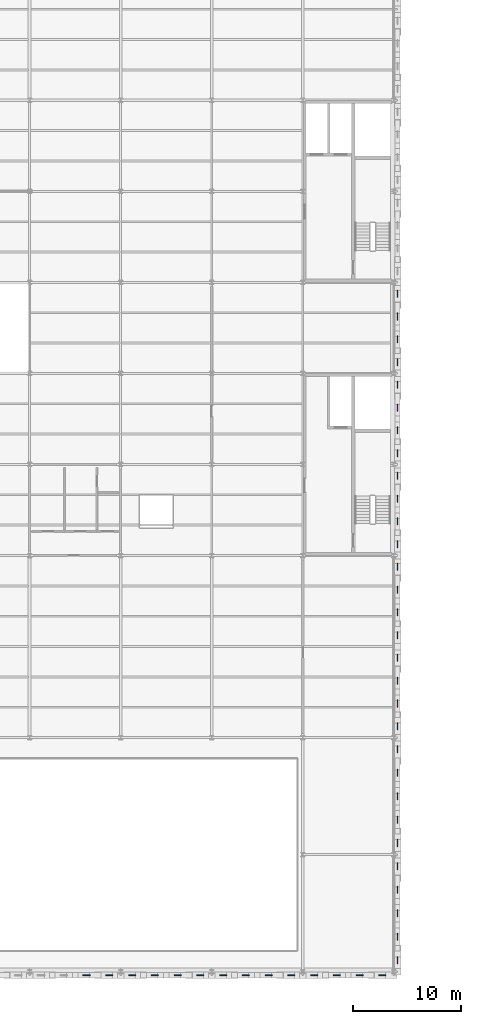
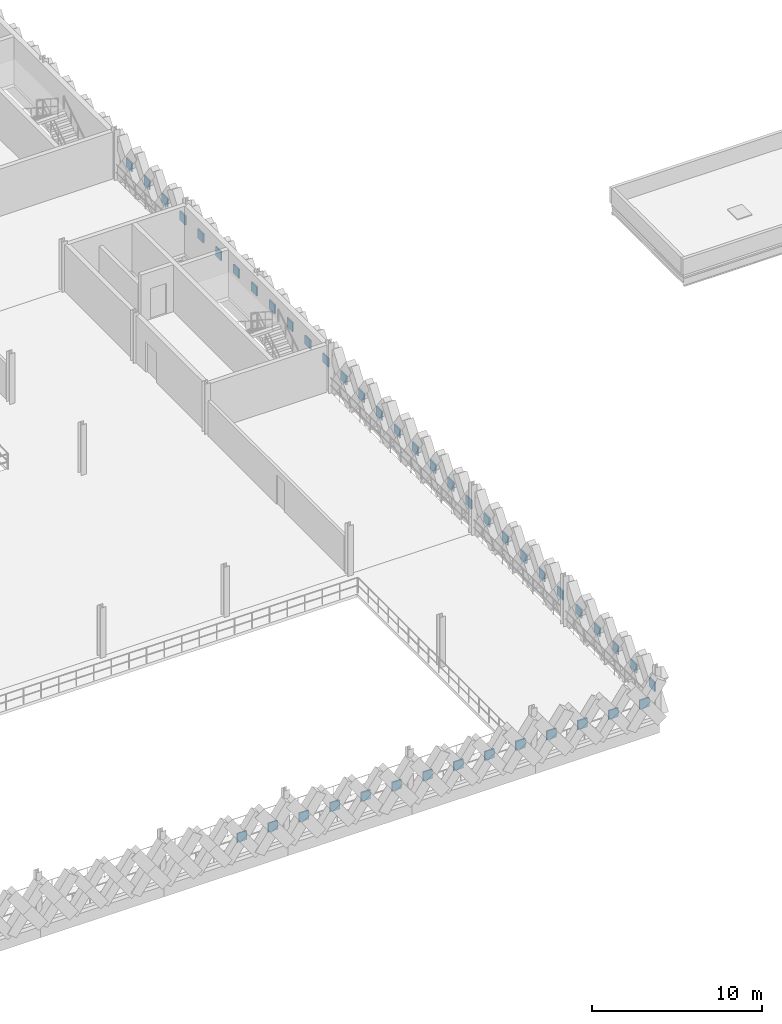
# One storey, part 43 of 62: 44 plates.
"""IFC4 building model written with IfcOpenShell, lengths in metres."""

from ifc_helpers import new_model, si_unit, direction, frame, origin, origin_2d, place, context, subcontext, project, spatial, rectangle, extrude, material, layer, layer_set, type_object, element, save


model = new_model("IFC4")

# Units and contexts
model_context = context("Model", 3, precision=1e-05, world=origin(), true_north=direction((0.0, 1.0)))
body_context = subcontext(model_context, "Body", "Model", "MODEL_VIEW")
ifc_project = project(units=[si_unit("LENGTHUNIT", "METRE"), si_unit("AREAUNIT", "SQUARE_METRE"), si_unit("VOLUMEUNIT", "CUBIC_METRE"), si_unit("PLANEANGLEUNIT", "RADIAN"), si_unit("MASSUNIT", "GRAM", prefix="KILO"), si_unit("THERMODYNAMICTEMPERATUREUNIT", "KELVIN"), si_unit("POWERUNIT", "WATT")], contexts=[model_context])

# Site, building, storey
site_placement = place(None, origin())
site = spatial("IfcSite", under=ifc_project, at=site_placement, CompositionType="ELEMENT")
building_placement = place(site_placement, origin())
building = spatial("IfcBuilding", under=site, at=building_placement, Name="Tembeka Court Mobility Hub", CompositionType="ELEMENT")
storey_placement = place(building_placement, frame((0.0, 0.0, 16.199951171875)))
storey = spatial("IfcBuildingStorey", under=building, at=storey_placement, Name="L04", CompositionType="ELEMENT", Elevation=16.199951171875)

# Plates
ifc_material = material(Name="Precast concrete C45/55", Category="concrete")
ifc_layer = layer(ifc_material, 0.090087890625)
ifc_layer_set = layer_set([ifc_layer], Name="Precast concrete C45/55")
plate_type = type_object("IfcPlateType", Name="PL-PC01", PredefinedType="SHEET", material=ifc_layer_set)
for number, where, z_axis, x_axis, name in (
    (1, (64.050048828125, -0.340087890625, 1.16015625), (0.0, 0.0, 1.0), (1.0, 0.0, 0.0), "Precast diamond lattice node plate PCN01 (L04-619)"),
    (2, (66.14990234375, -0.340087890625, 1.16015625), (0.0, 0.0, 1.0), (1.0, 0.0, 0.0), "Precast diamond lattice node plate PCN01 (L04-620)"),
    (3, (68.25, -0.340087890625, 1.16015625), (0.0, 0.0, 1.0), (1.0, 0.0, 0.0), "Precast diamond lattice node plate PCN01 (L04-621)"),
    (4, (70.35009765625, -0.340087890625, 1.16015625), (0.0, 0.0, 1.0), (1.0, 0.0, 0.0), "Precast diamond lattice node plate PCN01 (L04-622)"),
    (5, (72.449951171875, -0.340087890625, 1.16015625), (0.0, 0.0, 1.0), (1.0, 0.0, 0.0), "Precast diamond lattice node plate PCN01 (L04-623)"),
    (6, (74.550048828125, -0.340087890625, 1.16015625), (0.0, 0.0, 1.0), (1.0, 0.0, 0.0), "Precast diamond lattice node plate PCN01 (L04-624)"),
    (7, (76.64990234375, -0.340087890625, 1.16015625), (0.0, 0.0, 1.0), (1.0, 0.0, 0.0), "Precast diamond lattice node plate PCN01 (L04-625)"),
    (8, (78.75, -0.340087890625, 1.16015625), (0.0, 0.0, 1.0), (1.0, 0.0, 0.0), "Precast diamond lattice node plate PCN01 (L04-626)"),
    (9, (80.85009765625, -0.340087890625, 1.16015625), (0.0, 0.0, 1.0), (1.0, 0.0, 0.0), "Precast diamond lattice node plate PCN01 (L04-627)"),
    (10, (82.949951171875, -0.340087890625, 1.16015625), (0.0, 0.0, 1.0), (1.0, 0.0, 0.0), "Precast diamond lattice node plate PCN01 (L04-628)"),
    (11, (85.050048828125, -0.340087890625, 1.16015625), (0.0, 0.0, 1.0), (1.0, 0.0, 0.0), "Precast diamond lattice node plate PCN01 (L04-629)"),
    (12, (87.14990234375, -0.340087890625, 1.16015625), (0.0, 0.0, 1.0), (1.0, 0.0, 0.0), "Precast diamond lattice node plate PCN01 (L04-630)"),
    (13, (89.25, -0.340087890625, 1.16015625), (0.0, 0.0, 1.0), (1.0, 0.0, 0.0), "Precast diamond lattice node plate PCN01 (L04-631)"),
    (14, (91.35009765625, -0.340087890625, 1.16015625), (0.0, 0.0, 1.0), (1.0, 0.0, 0.0), "Precast diamond lattice node plate PCN01 (L04-632)"),
):
    element("IfcPlate", number, at=place(storey_placement, frame(where, z_axis=z_axis, x_axis=x_axis)), inside=storey, type_object=plate_type, Name=name, PredefinedType="SHEET", context=body_context, shape_type="SweptSolid", body=[
        extrude(rectangle(XDim=0.64990234375, YDim=0.090087890625, at=origin_2d()), origin(), (0.0, 0.0, 1.0), 0.64990234375),
    ])
for number, where, z_axis, x_axis, name in (
    (15, (92.739990234375, 1.080078125, 1.16015625), (0.0, 0.0, 1.0), (1.0, 0.0, 0.0), "Precast diamond lattice node plate PCN01 (L04-733)"),
    (16, (92.739990234375, 3.239990234375, 1.16015625), (0.0, 0.0, 1.0), (1.0, 0.0, 0.0), "Precast diamond lattice node plate PCN01 (L04-734)"),
    (17, (92.739990234375, 5.39990234375, 1.16015625), (0.0, 0.0, 1.0), (1.0, 0.0, 0.0), "Precast diamond lattice node plate PCN01 (L04-735)"),
    (18, (92.739990234375, 7.56005859375, 1.16015625), (0.0, 0.0, 1.0), (1.0, 0.0, 0.0), "Precast diamond lattice node plate PCN01 (L04-736)"),
    (19, (92.739990234375, 9.719970703125, 1.16015625), (0.0, 0.0, 1.0), (1.0, 0.0, 0.0), "Precast diamond lattice node plate PCN01 (L04-737)"),
    (20, (92.739990234375, 11.8798828125, 1.16015625), (0.0, 0.0, 1.0), (1.0, 0.0, 0.0), "Precast diamond lattice node plate PCN01 (L04-738)"),
    (21, (92.739990234375, 14.0400390625, 1.16015625), (0.0, 0.0, 1.0), (1.0, 0.0, 0.0), "Precast diamond lattice node plate PCN01 (L04-739)"),
    (22, (92.739990234375, 16.199951171875, 1.16015625), (0.0, 0.0, 1.0), (1.0, 0.0, 0.0), "Precast diamond lattice node plate PCN01 (L04-740)"),
    (23, (92.739990234375, 18.360107421875, 1.16015625), (0.0, 0.0, 1.0), (1.0, 0.0, 0.0), "Precast diamond lattice node plate PCN01 (L04-741)"),
    (24, (92.739990234375, 20.52001953125, 1.16015625), (0.0, 0.0, 1.0), (1.0, 0.0, 0.0), "Precast diamond lattice node plate PCN01 (L04-742)"),
    (25, (92.739990234375, 22.64990234375, 1.16015625), (0.0, 0.0, 1.0), (1.0, 0.0, 0.0), "Precast diamond lattice node plate PCN01 (L04-743)"),
    (26, (92.739990234375, 24.75, 1.16015625), (0.0, 0.0, 1.0), (1.0, 0.0, 0.0), "Precast diamond lattice node plate PCN01 (L04-744)"),
    (27, (92.739990234375, 26.85009765625, 1.16015625), (0.0, 0.0, 1.0), (1.0, 0.0, 0.0), "Precast diamond lattice node plate PCN01 (L04-745)"),
    (28, (92.739990234375, 28.949951171875, 1.16015625), (0.0, 0.0, 1.0), (1.0, 0.0, 0.0), "Precast diamond lattice node plate PCN01 (L04-746)"),
    (29, (92.739990234375, 31.050048828125, 1.16015625), (0.0, 0.0, 1.0), (1.0, 0.0, 0.0), "Precast diamond lattice node plate PCN01 (L04-747)"),
    (30, (92.739990234375, 33.14990234375, 1.16015625), (0.0, 0.0, 1.0), (1.0, 0.0, 0.0), "Precast diamond lattice node plate PCN01 (L04-748)"),
    (31, (92.739990234375, 35.25, 1.16015625), (0.0, 0.0, 1.0), (1.0, 0.0, 0.0), "Precast diamond lattice node plate PCN01 (L04-749)"),
    (32, (92.739990234375, 37.35009765625, 1.16015625), (0.0, 0.0, 1.0), (1.0, 0.0, 0.0), "Precast diamond lattice node plate PCN01 (L04-750)"),
    (33, (92.739990234375, 39.449951171875, 1.16015625), (0.0, 0.0, 1.0), (1.0, 0.0, 0.0), "Precast diamond lattice node plate PCN01 (L04-751)"),
    (34, (92.739990234375, 41.550048828125, 1.16015625), (0.0, 0.0, 1.0), (1.0, 0.0, 0.0), "Precast diamond lattice node plate PCN01 (L04-752)"),
    (35, (92.739990234375, 43.64990234375, 1.16015625), (0.0, 0.0, 1.0), (1.0, 0.0, 0.0), "Precast diamond lattice node plate PCN01 (L04-753)"),
    (36, (92.739990234375, 45.75, 1.16015625), (0.0, 0.0, 1.0), (1.0, 0.0, 0.0), "Precast diamond lattice node plate PCN01 (L04-754)"),
    (37, (92.739990234375, 47.85009765625, 1.16015625), (0.0, 0.0, 1.0), (1.0, 0.0, 0.0), "Precast diamond lattice node plate PCN01 (L04-755)"),
    (38, (92.739990234375, 49.949951171875, 1.16015625), (0.0, 0.0, 1.0), (1.0, 0.0, 0.0), "Precast diamond lattice node plate PCN01 (L04-756)"),
    (39, (92.739990234375, 52.050048828125, 1.16015625), (0.0, 0.0, 1.0), (1.0, 0.0, 0.0), "Precast diamond lattice node plate PCN01 (L04-757)"),
    (40, (92.739990234375, 54.14990234375, 1.16015625), (0.0, 0.0, 1.0), (1.0, 0.0, 0.0), "Precast diamond lattice node plate PCN01 (L04-758)"),
    (41, (92.739990234375, 56.25, 1.16015625), (0.0, 0.0, 1.0), (1.0, 0.0, 0.0), "Precast diamond lattice node plate PCN01 (L04-759)"),
    (42, (92.739990234375, 58.35009765625, 1.16015625), (0.0, 0.0, 1.0), (1.0, 0.0, 0.0), "Precast diamond lattice node plate PCN01 (L04-760)"),
    (43, (92.739990234375, 60.449951171875, 1.16015625), (0.0, 0.0, 1.0), (1.0, 0.0, 0.0), "Precast diamond lattice node plate PCN01 (L04-761)"),
    (44, (92.739990234375, 62.550048828125, 1.16015625), (0.0, 0.0, 1.0), (1.0, 0.0, 0.0), "Precast diamond lattice node plate PCN01 (L04-762)"),
):
    element("IfcPlate", number, at=place(storey_placement, frame(where, z_axis=z_axis, x_axis=x_axis)), inside=storey, type_object=plate_type, Name=name, PredefinedType="SHEET", context=body_context, shape_type="SweptSolid", body=[
        extrude(rectangle(XDim=0.090087890625, YDim=0.64990234375, at=origin_2d()), origin(), (0.0, 0.0, 1.0), 0.64990234375),
    ])

save(model, "model.ifc")
